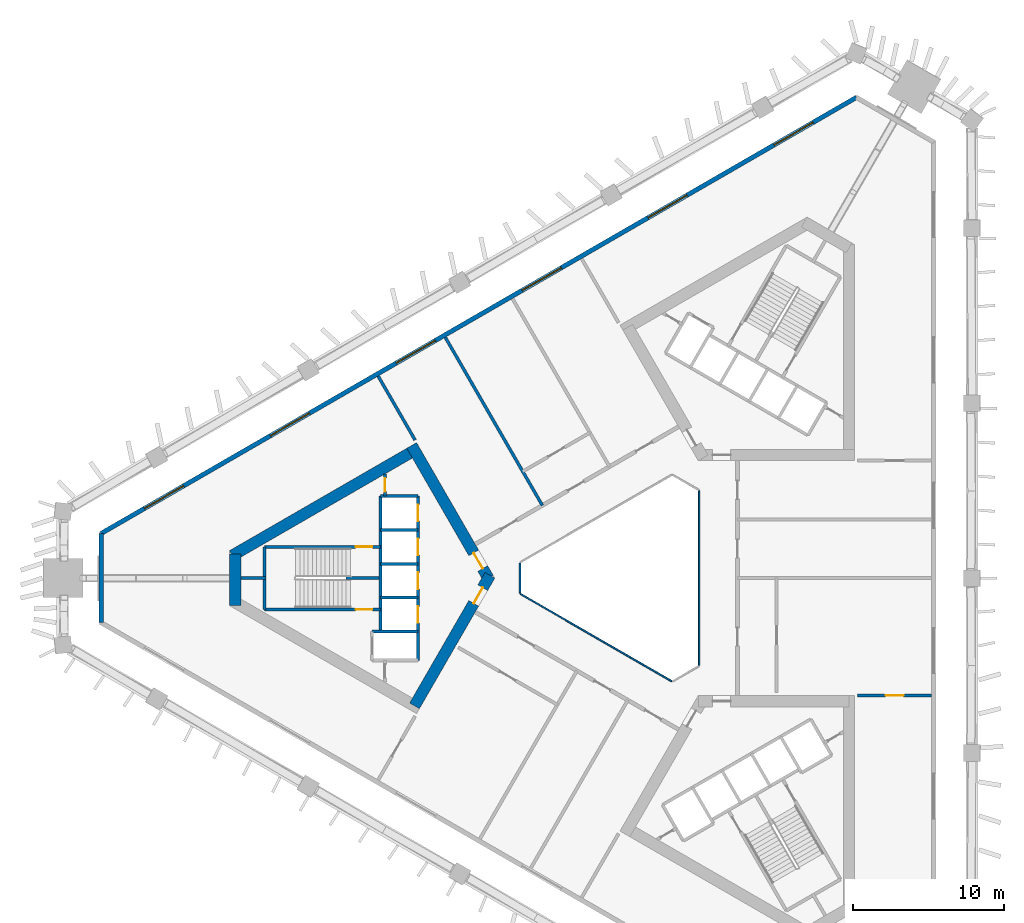
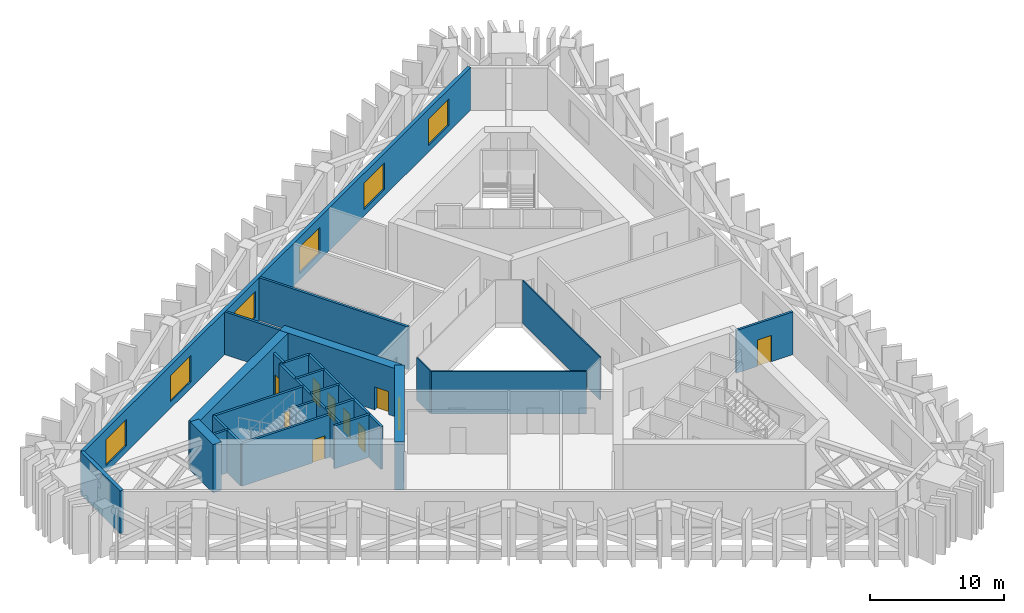
# One storey, part 5 of 9: 25 walls, 10 doors, 6 windows, 16 openings.
"""IFC4 building model written with IfcOpenShell, lengths in metres."""

from ifc_helpers import new_model, si_unit, direction, frame, frame_2d, origin, place, context, subcontext, project, spatial, rectangle, extrude, material, layer, layer_set, type_object, element, fill, save


model = new_model("IFC4")

# Units and contexts
model_context = context("Model", 3, precision=1e-05, world=origin(), true_north=direction((0.0, 1.0)))
body_context = subcontext(model_context, "Body", "Model", "MODEL_VIEW")
ifc_project = project(units=[si_unit("LENGTHUNIT", "METRE"), si_unit("AREAUNIT", "SQUARE_METRE"), si_unit("VOLUMEUNIT", "CUBIC_METRE"), si_unit("PLANEANGLEUNIT", "RADIAN"), si_unit("MASSUNIT", "GRAM", prefix="KILO")], contexts=[model_context])

# Site, building, storey
site_placement = place(None, origin())
site = spatial("IfcSite", under=ifc_project, at=site_placement, CompositionType="ELEMENT")
building_placement = place(site_placement, origin())
building = spatial("IfcBuilding", under=site, at=building_placement, Name="Jabali Bay Hotel Tower and Convention Centre", CompositionType="ELEMENT")
storey_placement = place(building_placement, frame((0.0, 0.0, 98.0)))
storey = spatial("IfcBuildingStorey", under=building, at=storey_placement, Name="L23", CompositionType="ELEMENT", Elevation=98.0)

# Walls
ifc_material_1 = material(Name="Fire-resistant glazing", Category="glass")
ifc_layer_1 = layer(ifc_material_1, 0.10009765625)
ifc_layer_set_1 = layer_set([ifc_layer_1], Name="Fire-resistant glazing")
wall_type_1 = type_object("IfcWallType", Name="Atrium glazed screen 100", PredefinedType="PARTITIONING", material=ifc_layer_set_1)
wall_1_placement = place(storey_placement, frame((79.56005859375, 74.205810546875, 0.0), z_axis=(0.0, 0.0, 1.0), x_axis=(0.0, 1.0, 0.0)))
element("IfcWall", 1, at=wall_1_placement, inside=storey, type_object=wall_type_1, Name="Atrium screen 1 L23", PredefinedType="PARTITIONING", context=body_context, shape_type="SweptSolid", body=[
    extrude(rectangle(XDim=11.58837890625, YDim=0.10009765625, at=frame_2d((5.794189453125, 0.0))), origin(), (0.0, 0.0, 1.0), 3.89990234375),
])
wall_2_placement = place(storey_placement, frame((67.672119140625, 81.0, 0.0), z_axis=(0.0, 0.0, 1.0), x_axis=(0.0, -1.0, 0.0)))
element("IfcWall", 2, at=wall_2_placement, inside=storey, type_object=wall_type_1, Name="Atrium screen 4 L23", PredefinedType="PARTITIONING", context=body_context, shape_type="SweptSolid", body=[
    extrude(rectangle(XDim=2.0, YDim=0.10009765625, at=frame_2d((1.0, 0.0))), origin(), (0.0, 0.0, 1.0), 3.89990234375),
])
wall_3_placement = place(storey_placement, frame((67.7021484375, 78.947998046875, 0.0), z_axis=(0.0, 0.0, 1.0), x_axis=(0.866026658274, -0.499997827154, 0.0)))
element("IfcWall", 3, at=wall_3_placement, inside=storey, type_object=wall_type_1, Name="Atrium screen 5 L23", PredefinedType="PARTITIONING", context=body_context, shape_type="SweptSolid", body=[
    extrude(rectangle(XDim=11.58837890625, YDim=0.10009765625, at=frame_2d((5.794189453125, 0.0))), origin(), (0.0, 0.0, 1.0), 3.89990234375),
])
ifc_material_2 = material(Name="Concrete C40", Category="concrete")
ifc_layer_2 = layer(ifc_material_2, 0.199951171875)
ifc_layer_set_2 = layer_set([ifc_layer_2], Name="Concrete C40")
wall_type_2 = type_object("IfcWallType", Name="Core partition wall 200", PredefinedType="PARTITIONING", material=ifc_layer_set_2)
wall_4_placement = place(storey_placement, frame((50.820068359375, 80.0, 0.0), z_axis=(0.0, 0.0, 1.0), x_axis=(-1.0, 0.0, 0.0)))
element("IfcWall", 4, at=wall_4_placement, inside=storey, type_object=wall_type_2, Name="Core wall 0.5 L23", PredefinedType="PARTITIONING", context=body_context, shape_type="SweptSolid", body=[
    extrude(rectangle(XDim=1.673095703125, YDim=0.199951171875, at=frame_2d((0.83642578125, 0.0))), origin(), (0.0, 0.0, 1.0), 3.89990234375),
])

# Wall, opening, door
wall_5_placement = place(storey_placement, frame((58.719970703125, 86.916748046875, 0.0), z_axis=(0.0, 0.0, 1.0), x_axis=(0.0, -1.0, 0.0)))
wall_5 = element("IfcWall", 5, at=wall_5_placement, inside=storey, type_object=wall_type_2, Name="Core wall 0.11 L23", PredefinedType="PARTITIONING", context=body_context, shape_type="SweptSolid", body=[
    extrude(rectangle(XDim=1.466796875, YDim=0.199951171875, at=frame_2d((0.7333984375, 0.0))), origin(), (0.0, 0.0, 1.0), 3.89990234375),
])
opening_1_placement = place(wall_5_placement, frame((0.283447265625, 0.0, 0.0)))
opening_1 = element("IfcOpeningElement", 6, at=opening_1_placement, cuts=wall_5, Name="Opening D531", PredefinedType="OPENING", context=body_context, shape_type="SweptSolid", body=[
    extrude(rectangle(XDim=0.89990234375, YDim=2.10009765625, at=frame_2d((0.449951171875, 1.050048828125))), frame((0.0, 0.1103515625, 0.0), z_axis=(0.0, -1.0, 0.0), x_axis=(1.0, 0.0, 0.0)), (0.0, 0.0, 1.0), 0.220947265625),
])
ifc_material_3 = material(Name="Fire-rated steel door", Category="steel")
door_type_1 = type_object("IfcDoorType", Name="Vestibule fire door 900 x 2100", OperationType="NOTDEFINED", PredefinedType="NOTDEFINED", material=ifc_material_3)
door_1_placement = place(opening_1_placement, origin())
door_1 = element("IfcDoor", 7, at=door_1_placement, inside=storey, type_object=door_type_1, Name="Vestibule fire door D531", OperationType="SINGLE_SWING_LEFT", OverallHeight=2.10009765625, OverallWidth=0.89990234375, PredefinedType="NOTDEFINED", context=body_context, shape_type="SweptSolid", body=[
    extrude(rectangle(XDim=0.89990234375, YDim=2.10009765625, at=frame_2d((0.449951171875, 1.050048828125))), frame((0.0, 0.02490234375, 0.0), z_axis=(0.0, -1.0, 0.0), x_axis=(1.0, 0.0, 0.0)), (0.0, 0.0, 1.0), 0.050048828125),
])
fill(opening_1, door_1)

# Walls
ifc_layer_3 = layer(ifc_material_2, 0.199951171875)
ifc_layer_set_3 = layer_set([ifc_layer_3], Name="Concrete C40")
wall_type_3 = type_object("IfcWallType", Name="Core stair wall 200", PredefinedType="SOLIDWALL", material=ifc_layer_set_3)
for number, where, z_axis, x_axis, name in (
    (8, (60.89990234375, 85.449951171875, 0.0), (0.0, 0.0, 1.0), (-1.0, 0.0, 0.0), "Core wall 0.0 L23"),
    (9, (60.89990234375, 83.199951171875, 0.0), (0.0, 0.0, 1.0), (-1.0, 0.0, 0.0), "Core wall 0.1 L23"),
):
    element("IfcWall", number, at=place(storey_placement, frame(where, z_axis=z_axis, x_axis=x_axis)), inside=storey, type_object=wall_type_3, Name=name, PredefinedType="SOLIDWALL", context=body_context, shape_type="SweptSolid", body=[
        extrude(rectangle(XDim=2.47998046875, YDim=0.199951171875, at=frame_2d((1.239990234375, 0.0))), origin(), (0.0, 0.0, 1.0), 3.89990234375),
    ])

# Wall, opening, door
wall_6_placement = place(storey_placement, frame((58.419921875, 82.074951171875, 0.0), z_axis=(0.0, 0.0, 1.0), x_axis=(-1.0, 0.0, 0.0)))
wall_6 = element("IfcWall", 10, at=wall_6_placement, inside=storey, type_object=wall_type_3, Name="Core wall 0.2 L23", PredefinedType="SOLIDWALL", context=body_context, shape_type="SweptSolid", body=[
    extrude(rectangle(XDim=7.699951171875, YDim=0.199951171875, at=frame_2d((3.85009765625, 0.0))), origin(), (0.0, 0.0, 1.0), 3.89990234375),
])
opening_2_placement = place(wall_6_placement, frame((0.550048828125, 0.0, 0.0)))
opening_2 = element("IfcOpeningElement", 11, at=opening_2_placement, cuts=wall_6, Name="Opening D533", PredefinedType="OPENING", context=body_context, shape_type="SweptSolid", body=[
    extrude(rectangle(XDim=1.10009765625, YDim=2.10009765625, at=frame_2d((0.550048828125, 1.050048828125))), frame((0.0, 0.1103515625, 0.0), z_axis=(0.0, -1.0, 0.0), x_axis=(1.0, 0.0, 0.0)), (0.0, 0.0, 1.0), 0.220947265625),
])
door_type_2 = type_object("IfcDoorType", Name="Stair fire door 1100 x 2100", OperationType="NOTDEFINED", PredefinedType="NOTDEFINED", material=ifc_material_3)
door_2_placement = place(opening_2_placement, origin())
door_2 = element("IfcDoor", 12, at=door_2_placement, inside=storey, type_object=door_type_2, Name="Stair fire door D533", OperationType="SINGLE_SWING_LEFT", OverallHeight=2.10009765625, OverallWidth=1.10009765625, PredefinedType="NOTDEFINED", context=body_context, shape_type="SweptSolid", body=[
    extrude(rectangle(XDim=1.10009765625, YDim=2.10009765625, at=frame_2d((0.550048828125, 1.050048828125))), frame((0.0, 0.02490234375, 0.0), z_axis=(0.0, -1.0, 0.0), x_axis=(1.0, 0.0, 0.0)), (0.0, 0.0, 1.0), 0.050048828125),
])
fill(opening_2, door_2)

# Walls
wall_7_placement = place(storey_placement, frame((60.89990234375, 80.949951171875, 0.0), z_axis=(0.0, 0.0, 1.0), x_axis=(-1.0, 0.0, 0.0)))
element("IfcWall", 13, at=wall_7_placement, inside=storey, type_object=wall_type_3, Name="Core wall 0.3 L23", PredefinedType="SOLIDWALL", context=body_context, shape_type="SweptSolid", body=[
    extrude(rectangle(XDim=2.47998046875, YDim=0.199951171875, at=frame_2d((1.239990234375, 0.0))), origin(), (0.0, 0.0, 1.0), 3.89990234375),
])
wall_8_placement = place(storey_placement, frame((58.320068359375, 80.0, 0.0), z_axis=(0.0, 0.0, 1.0), x_axis=(-1.0, 0.0, 0.0)))
element("IfcWall", 14, at=wall_8_placement, inside=storey, type_object=wall_type_3, Name="Core wall 0.4 L23", PredefinedType="SOLIDWALL", context=body_context, shape_type="SweptSolid", body=[
    extrude(rectangle(XDim=2.199951171875, YDim=0.199951171875, at=frame_2d((1.10009765625, 0.0))), origin(), (0.0, 0.0, 1.0), 3.89990234375),
])
wall_9_placement = place(storey_placement, frame((60.89990234375, 78.699951171875, 0.0), z_axis=(0.0, 0.0, 1.0), x_axis=(-1.0, 0.0, 0.0)))
element("IfcWall", 15, at=wall_9_placement, inside=storey, type_object=wall_type_3, Name="Core wall 0.6 L23", PredefinedType="SOLIDWALL", context=body_context, shape_type="SweptSolid", body=[
    extrude(rectangle(XDim=2.47998046875, YDim=0.199951171875, at=frame_2d((1.239990234375, 0.0))), origin(), (0.0, 0.0, 1.0), 3.89990234375),
])

# Wall, opening, door
wall_10_placement = place(storey_placement, frame((58.419921875, 77.925048828125, 0.0), z_axis=(0.0, 0.0, 1.0), x_axis=(-1.0, 0.0, 0.0)))
wall_10 = element("IfcWall", 16, at=wall_10_placement, inside=storey, type_object=wall_type_3, Name="Core wall 0.7 L23", PredefinedType="SOLIDWALL", context=body_context, shape_type="SweptSolid", body=[
    extrude(rectangle(XDim=7.699951171875, YDim=0.199951171875, at=frame_2d((3.85009765625, 0.0))), origin(), (0.0, 0.0, 1.0), 3.89990234375),
])
opening_3_placement = place(wall_10_placement, frame((0.550048828125, 0.0, 0.0)))
opening_3 = element("IfcOpeningElement", 17, at=opening_3_placement, cuts=wall_10, Name="Opening D532", PredefinedType="OPENING", context=body_context, shape_type="SweptSolid", body=[
    extrude(rectangle(XDim=1.10009765625, YDim=2.10009765625, at=frame_2d((0.550048828125, 1.050048828125))), frame((0.0, 0.1103515625, 0.0), z_axis=(0.0, -1.0, 0.0), x_axis=(1.0, 0.0, 0.0)), (0.0, 0.0, 1.0), 0.220947265625),
])
door_3_placement = place(opening_3_placement, origin())
door_3 = element("IfcDoor", 18, at=door_3_placement, inside=storey, type_object=door_type_2, Name="Stair fire door D532", OperationType="SINGLE_SWING_RIGHT", OverallHeight=2.10009765625, OverallWidth=1.10009765625, PredefinedType="NOTDEFINED", context=body_context, shape_type="SweptSolid", body=[
    extrude(rectangle(XDim=1.10009765625, YDim=2.10009765625, at=frame_2d((0.550048828125, 1.050048828125))), frame((0.0, 0.02490234375, 0.0), z_axis=(0.0, -1.0, 0.0), x_axis=(1.0, 0.0, 0.0)), (0.0, 0.0, 1.0), 0.050048828125),
])
fill(opening_3, door_3)

# Wall
wall_11_placement = place(storey_placement, frame((60.89990234375, 76.449951171875, 0.0), z_axis=(0.0, 0.0, 1.0), x_axis=(-1.0, 0.0, 0.0)))
element("IfcWall", 19, at=wall_11_placement, inside=storey, type_object=wall_type_3, Name="Core wall 0.8 L23", PredefinedType="SOLIDWALL", context=body_context, shape_type="SweptSolid", body=[
    extrude(rectangle(XDim=3.0498046875, YDim=0.199951171875, at=frame_2d((1.52490234375, 0.0))), origin(), (0.0, 0.0, 1.0), 3.89990234375),
])

# Wall, openings, doors
wall_12_placement = place(storey_placement, frame((60.89990234375, 85.449951171875, 0.0), z_axis=(0.0, 0.0, 1.0), x_axis=(0.0, -1.0, 0.0)))
wall_12 = element("IfcWall", 20, at=wall_12_placement, inside=storey, type_object=wall_type_3, Name="Core wall 0.10 L23", PredefinedType="SOLIDWALL", context=body_context, shape_type="SweptSolid", body=[
    extrude(rectangle(XDim=10.89990234375, YDim=0.199951171875, at=frame_2d((5.449951171875, 0.0))), origin(), (0.0, 0.0, 1.0), 3.89990234375),
])
opening_4_placement = place(wall_12_placement, frame((0.574951171875, 0.0, 0.0)))
opening_4 = element("IfcOpeningElement", 21, at=opening_4_placement, cuts=wall_12, Name="Opening LD1-L23", PredefinedType="OPENING", context=body_context, shape_type="SweptSolid", body=[
    extrude(rectangle(XDim=1.10009765625, YDim=2.10009765625, at=frame_2d((0.550048828125, 1.050048828125))), frame((0.0, 0.1103515625, 0.0), z_axis=(0.0, -1.0, 0.0), x_axis=(1.0, 0.0, 0.0)), (0.0, 0.0, 1.0), 0.220947265625),
])
opening_5_placement = place(wall_12_placement, frame((2.824951171875, 0.0, 0.0)))
opening_5 = element("IfcOpeningElement", 22, at=opening_5_placement, cuts=wall_12, Name="Opening LD2-L23", PredefinedType="OPENING", context=body_context, shape_type="SweptSolid", body=[
    extrude(rectangle(XDim=1.10009765625, YDim=2.10009765625, at=frame_2d((0.550048828125, 1.050048828125))), frame((0.0, 0.1103515625, 0.0), z_axis=(0.0, -1.0, 0.0), x_axis=(1.0, 0.0, 0.0)), (0.0, 0.0, 1.0), 0.220947265625),
])
opening_6_placement = place(wall_12_placement, frame((5.074951171875, 0.0, 0.0)))
opening_6 = element("IfcOpeningElement", 23, at=opening_6_placement, cuts=wall_12, Name="Opening LD3-L23", PredefinedType="OPENING", context=body_context, shape_type="SweptSolid", body=[
    extrude(rectangle(XDim=1.10009765625, YDim=2.10009765625, at=frame_2d((0.550048828125, 1.050048828125))), frame((0.0, 0.1103515625, 0.0), z_axis=(0.0, -1.0, 0.0), x_axis=(1.0, 0.0, 0.0)), (0.0, 0.0, 1.0), 0.220947265625),
])
opening_7_placement = place(wall_12_placement, frame((7.324951171875, 0.0, 0.0)))
opening_7 = element("IfcOpeningElement", 24, at=opening_7_placement, cuts=wall_12, Name="Opening LD4-L23", PredefinedType="OPENING", context=body_context, shape_type="SweptSolid", body=[
    extrude(rectangle(XDim=1.10009765625, YDim=2.10009765625, at=frame_2d((0.550048828125, 1.050048828125))), frame((0.0, 0.1103515625, 0.0), z_axis=(0.0, -1.0, 0.0), x_axis=(1.0, 0.0, 0.0)), (0.0, 0.0, 1.0), 0.220947265625),
])
ifc_material_4 = material(Name="Stainless steel landing door", Category="steel")
door_type_3 = type_object("IfcDoorType", Name="Landing door 1100 x 2100", OperationType="NOTDEFINED", PredefinedType="NOTDEFINED", material=ifc_material_4)
door_4_placement = place(opening_4_placement, origin())
door_4 = element("IfcDoor", 25, at=door_4_placement, inside=storey, type_object=door_type_3, Name="Landing doors LD1-L23", OperationType="SLIDING_TO_RIGHT", OverallHeight=2.10009765625, OverallWidth=1.10009765625, PredefinedType="NOTDEFINED", context=body_context, shape_type="SweptSolid", body=[
    extrude(rectangle(XDim=1.10009765625, YDim=2.10009765625, at=frame_2d((0.550048828125, 1.050048828125))), frame((0.0, 0.02490234375, 0.0), z_axis=(0.0, -1.0, 0.0), x_axis=(1.0, 0.0, 0.0)), (0.0, 0.0, 1.0), 0.050048828125),
])
fill(opening_4, door_4)
door_5_placement = place(opening_5_placement, origin())
door_5 = element("IfcDoor", 26, at=door_5_placement, inside=storey, type_object=door_type_3, Name="Landing doors LD2-L23", OperationType="SLIDING_TO_LEFT", OverallHeight=2.10009765625, OverallWidth=1.10009765625, PredefinedType="NOTDEFINED", context=body_context, shape_type="SweptSolid", body=[
    extrude(rectangle(XDim=1.10009765625, YDim=2.10009765625, at=frame_2d((0.550048828125, 1.050048828125))), frame((0.0, 0.02490234375, 0.0), z_axis=(0.0, -1.0, 0.0), x_axis=(1.0, 0.0, 0.0)), (0.0, 0.0, 1.0), 0.050048828125),
])
fill(opening_5, door_5)
door_6_placement = place(opening_6_placement, origin())
door_6 = element("IfcDoor", 27, at=door_6_placement, inside=storey, type_object=door_type_3, Name="Landing doors LD3-L23", OperationType="SLIDING_TO_RIGHT", OverallHeight=2.10009765625, OverallWidth=1.10009765625, PredefinedType="NOTDEFINED", context=body_context, shape_type="SweptSolid", body=[
    extrude(rectangle(XDim=1.10009765625, YDim=2.10009765625, at=frame_2d((0.550048828125, 1.050048828125))), frame((0.0, 0.02490234375, 0.0), z_axis=(0.0, -1.0, 0.0), x_axis=(1.0, 0.0, 0.0)), (0.0, 0.0, 1.0), 0.050048828125),
])
fill(opening_6, door_6)
door_7_placement = place(opening_7_placement, origin())
door_7 = element("IfcDoor", 28, at=door_7_placement, inside=storey, type_object=door_type_3, Name="Landing doors LD4-L23", OperationType="SLIDING_TO_LEFT", OverallHeight=2.10009765625, OverallWidth=1.10009765625, PredefinedType="NOTDEFINED", context=body_context, shape_type="SweptSolid", body=[
    extrude(rectangle(XDim=1.10009765625, YDim=2.10009765625, at=frame_2d((0.550048828125, 1.050048828125))), frame((0.0, 0.02490234375, 0.0), z_axis=(0.0, -1.0, 0.0), x_axis=(1.0, 0.0, 0.0)), (0.0, 0.0, 1.0), 0.050048828125),
])
fill(opening_7, door_7)

# Walls
wall_13_placement = place(storey_placement, frame((58.419921875, 85.449951171875, 0.0), z_axis=(0.0, 0.0, 1.0), x_axis=(0.0, -1.0, 0.0)))
element("IfcWall", 29, at=wall_13_placement, inside=storey, type_object=wall_type_3, Name="Core wall 0.13 L23", PredefinedType="SOLIDWALL", context=body_context, shape_type="SweptSolid", body=[
    extrude(rectangle(XDim=9.0, YDim=0.199951171875, at=frame_2d((4.5, 0.0))), origin(), (0.0, 0.0, 1.0), 3.89990234375),
])
wall_14_placement = place(storey_placement, frame((50.719970703125, 82.074951171875, 0.0), z_axis=(0.0, 0.0, 1.0), x_axis=(0.0, -1.0, 0.0)))
element("IfcWall", 30, at=wall_14_placement, inside=storey, type_object=wall_type_3, Name="Core wall 0.15 L23", PredefinedType="SOLIDWALL", context=body_context, shape_type="SweptSolid", body=[
    extrude(rectangle(XDim=4.14990234375, YDim=0.199951171875, at=frame_2d((2.074951171875, 0.0))), origin(), (0.0, 0.0, 1.0), 3.89990234375),
])

# Wall, opening, door
ifc_material_5 = material(Name="Concrete C60", Category="concrete")
ifc_layer_4 = layer(ifc_material_5, 0.75)
ifc_layer_set_4 = layer_set([ifc_layer_4], Name="Concrete C60")
wall_type_4 = type_object("IfcWallType", Name="Core wall 750", PredefinedType="SHEAR", material=ifc_layer_set_4)
wall_15_placement = place(storey_placement, frame((65.56689453125, 80.0, 0.0), z_axis=(0.0, 0.0, 1.0), x_axis=(-0.499988615364, 0.866031976607, 0.0)))
wall_15 = element("IfcWall", 31, at=wall_15_placement, inside=storey, type_object=wall_type_4, Name="Core wall 1.1 L23", PredefinedType="SHEAR", context=body_context, shape_type="SweptSolid", body=[
    extrude(rectangle(XDim=10.163330078125, YDim=0.75, at=frame_2d((5.08154296875, 0.0))), origin(), (0.0, 0.0, 1.0), 4.39990234375),
])
opening_8_placement = place(wall_15_placement, frame((0.7333984375, 0.0, 0.0)))
opening_8 = element("IfcOpeningElement", 32, at=opening_8_placement, cuts=wall_15, Name="Opening D528", PredefinedType="OPENING", context=body_context, shape_type="SweptSolid", body=[
    extrude(rectangle(XDim=1.199951171875, YDim=2.10009765625, at=frame_2d((0.60009765625, 1.050048828125))), frame((0.0, 0.385498046875, 0.0), z_axis=(0.0, -1.0, 0.0), x_axis=(1.0, 0.0, 0.0)), (0.0, 0.0, 1.0), 0.77099609375),
])
door_type_4 = type_object("IfcDoorType", Name="Corridor end fire door 1200 x 2100", OperationType="NOTDEFINED", PredefinedType="NOTDEFINED", material=ifc_material_3)
door_8_placement = place(opening_8_placement, origin())
door_8 = element("IfcDoor", 33, at=door_8_placement, inside=storey, type_object=door_type_4, Name="Corridor end fire door D528", OperationType="SINGLE_SWING_RIGHT", OverallHeight=2.10009765625, OverallWidth=1.199951171875, PredefinedType="NOTDEFINED", context=body_context, shape_type="SweptSolid", body=[
    extrude(rectangle(XDim=1.199951171875, YDim=2.10009765625, at=frame_2d((0.60009765625, 1.050048828125))), frame((0.0, 0.02490234375, 0.0), z_axis=(0.0, -1.0, 0.0), x_axis=(1.0, 0.0, 0.0)), (0.0, 0.0, 1.0), 0.050048828125),
])
fill(opening_8, door_8)

# Walls
wall_16_placement = place(storey_placement, frame((60.6728515625, 88.47705078125, 0.0), z_axis=(0.0, 0.0, 1.0), x_axis=(-0.8660248072, -0.500001033313, 0.0)))
element("IfcWall", 34, at=wall_16_placement, inside=storey, type_object=wall_type_4, Name="Core wall 1.2 L23", PredefinedType="SHEAR", context=body_context, shape_type="SweptSolid", body=[
    extrude(rectangle(XDim=13.95849609375, YDim=0.75, at=frame_2d((6.979248046875, 0.0))), origin(), (0.0, 0.0, 1.0), 4.39990234375),
])
wall_17_placement = place(storey_placement, frame((48.77197265625, 81.606201171875, 0.0), z_axis=(0.0, 0.0, 1.0), x_axis=(0.0, -1.0, 0.0)))
element("IfcWall", 35, at=wall_17_placement, inside=storey, type_object=wall_type_4, Name="Core wall 1.3 L23", PredefinedType="SHEAR", context=body_context, shape_type="SweptSolid", body=[
    extrude(rectangle(XDim=3.428955078125, YDim=0.75, at=frame_2d((1.71435546875, 0.0))), origin(), (0.0, 0.0, 1.0), 4.39990234375),
])

# Wall, opening, door
wall_18_placement = place(storey_placement, frame((60.6728515625, 71.52294921875, 0.0), z_axis=(0.0, 0.0, 1.0), x_axis=(0.499997052475, 0.866027105532, 0.0)))
wall_18 = element("IfcWall", 36, at=wall_18_placement, inside=storey, type_object=wall_type_4, Name="Core wall 1.5 L23", PredefinedType="SHEAR", context=body_context, shape_type="SweptSolid", body=[
    extrude(rectangle(XDim=10.0048828125, YDim=0.75, at=frame_2d((5.00244140625, 0.0))), origin(), (0.0, 0.0, 1.0), 4.39990234375),
])
opening_9_placement = place(wall_18_placement, frame((7.85498046875, 0.0, 0.0)))
opening_9 = element("IfcOpeningElement", 37, at=opening_9_placement, cuts=wall_18, Name="Opening D529", PredefinedType="OPENING", context=body_context, shape_type="SweptSolid", body=[
    extrude(rectangle(XDim=1.199951171875, YDim=2.10009765625, at=frame_2d((0.60009765625, 1.050048828125))), frame((0.0, 0.385498046875, 0.0), z_axis=(0.0, -1.0, 0.0), x_axis=(1.0, 0.0, 0.0)), (0.0, 0.0, 1.0), 0.77099609375),
])
door_9_placement = place(opening_9_placement, origin())
door_9 = element("IfcDoor", 38, at=door_9_placement, inside=storey, type_object=door_type_4, Name="Corridor end fire door D529", OperationType="SINGLE_SWING_LEFT", OverallHeight=2.10009765625, OverallWidth=1.199951171875, PredefinedType="NOTDEFINED", context=body_context, shape_type="SweptSolid", body=[
    extrude(rectangle(XDim=1.199951171875, YDim=2.10009765625, at=frame_2d((0.60009765625, 1.050048828125))), frame((0.0, 0.02490234375, 0.0), z_axis=(0.0, -1.0, 0.0), x_axis=(1.0, 0.0, 0.0)), (0.0, 0.0, 1.0), 0.050048828125),
])
fill(opening_9, door_9)

# Wall
ifc_layer_5 = layer(ifc_material_2, 0.300048828125)
ifc_layer_set_5 = layer_set([ifc_layer_5], Name="Concrete C40")
wall_type_5 = type_object("IfcWallType", Name="External wall 300", PredefinedType="SOLIDWALL", material=ifc_layer_set_5)
wall_19_placement = place(storey_placement, frame((39.87451171875, 77.038818359375, 0.0), z_axis=(0.0, 0.0, 1.0), x_axis=(0.0, 1.0, 0.0)))
element("IfcWall", 39, at=wall_19_placement, inside=storey, type_object=wall_type_5, Name="External wall west chamfer L23", PredefinedType="SOLIDWALL", context=body_context, shape_type="SweptSolid", body=[
    extrude(rectangle(XDim=5.92236328125, YDim=0.300048828125, at=frame_2d((2.961181640625, 0.0))), origin(), (0.0, 0.0, 1.0), 3.89990234375),
])

# Wall, openings, windows
wall_20_placement = place(storey_placement, frame((39.87451171875, 82.961181640625, 0.0), z_axis=(0.0, 0.0, 1.0), x_axis=(0.866025498246, 0.499999836387, 0.0)))
wall_20 = element("IfcWall", 40, at=wall_20_placement, inside=storey, type_object=wall_type_5, Name="External wall north-west face L23", PredefinedType="SOLIDWALL", context=body_context, shape_type="SweptSolid", body=[
    extrude(rectangle(XDim=57.8779296875, YDim=0.300048828125, at=frame_2d((28.93896484375, 0.0))), origin(), (0.0, 0.0, 1.0), 3.89990234375),
])
opening_10_placement = place(wall_20_placement, frame((3.3232421875, 0.0, 0.60009765625)))
opening_10 = element("IfcOpeningElement", 41, at=opening_10_placement, cuts=wall_20, Name="Opening W2", PredefinedType="OPENING", context=body_context, shape_type="SweptSolid", body=[
    extrude(rectangle(XDim=3.0, YDim=2.39990234375, at=frame_2d((1.5, 1.199951171875))), frame((0.0, 0.16064453125, 0.0), z_axis=(0.0, -1.0, 0.0), x_axis=(1.0, 0.0, 0.0)), (0.0, 0.0, 1.0), 0.321044921875),
])
opening_11_placement = place(wall_20_placement, frame((12.969482421875, 0.0, 0.60009765625)))
opening_11 = element("IfcOpeningElement", 42, at=opening_11_placement, cuts=wall_20, Name="Opening W2", PredefinedType="OPENING", context=body_context, shape_type="SweptSolid", body=[
    extrude(rectangle(XDim=3.0, YDim=2.39990234375, at=frame_2d((1.5, 1.199951171875))), frame((0.0, 0.16064453125, 0.0), z_axis=(0.0, -1.0, 0.0), x_axis=(1.0, 0.0, 0.0)), (0.0, 0.0, 1.0), 0.321044921875),
])
opening_12_placement = place(wall_20_placement, frame((22.61572265625, 0.0, 0.60009765625)))
opening_12 = element("IfcOpeningElement", 43, at=opening_12_placement, cuts=wall_20, Name="Opening W2", PredefinedType="OPENING", context=body_context, shape_type="SweptSolid", body=[
    extrude(rectangle(XDim=3.0, YDim=2.39990234375, at=frame_2d((1.5, 1.199951171875))), frame((0.0, 0.16064453125, 0.0), z_axis=(0.0, -1.0, 0.0), x_axis=(1.0, 0.0, 0.0)), (0.0, 0.0, 1.0), 0.321044921875),
])
opening_13_placement = place(wall_20_placement, frame((32.26220703125, 0.0, 0.60009765625)))
opening_13 = element("IfcOpeningElement", 44, at=opening_13_placement, cuts=wall_20, Name="Opening W2", PredefinedType="OPENING", context=body_context, shape_type="SweptSolid", body=[
    extrude(rectangle(XDim=3.0, YDim=2.39990234375, at=frame_2d((1.5, 1.199951171875))), frame((0.0, 0.16064453125, 0.0), z_axis=(0.0, -1.0, 0.0), x_axis=(1.0, 0.0, 0.0)), (0.0, 0.0, 1.0), 0.321044921875),
])
opening_14_placement = place(wall_20_placement, frame((41.908447265625, 0.0, 0.60009765625)))
opening_14 = element("IfcOpeningElement", 45, at=opening_14_placement, cuts=wall_20, Name="Opening W2", PredefinedType="OPENING", context=body_context, shape_type="SweptSolid", body=[
    extrude(rectangle(XDim=3.0, YDim=2.39990234375, at=frame_2d((1.5, 1.199951171875))), frame((0.0, 0.16064453125, 0.0), z_axis=(0.0, -1.0, 0.0), x_axis=(1.0, 0.0, 0.0)), (0.0, 0.0, 1.0), 0.321044921875),
])
opening_15_placement = place(wall_20_placement, frame((51.5546875, 0.0, 0.60009765625)))
opening_15 = element("IfcOpeningElement", 46, at=opening_15_placement, cuts=wall_20, Name="Opening W2", PredefinedType="OPENING", context=body_context, shape_type="SweptSolid", body=[
    extrude(rectangle(XDim=3.0, YDim=2.39990234375, at=frame_2d((1.5, 1.199951171875))), frame((0.0, 0.16064453125, 0.0), z_axis=(0.0, -1.0, 0.0), x_axis=(1.0, 0.0, 0.0)), (0.0, 0.0, 1.0), 0.321044921875),
])
ifc_material_6 = material(Name="Aluminium", Category="aluminium")
window_type = type_object("IfcWindowType", Name="Louvred ventilation panel 3000 x 2400", PartitioningType="SINGLE_PANEL", PredefinedType="WINDOW", material=ifc_material_6)
window_1_placement = place(opening_10_placement, origin())
window_1 = element("IfcWindow", 47, at=window_1_placement, inside=storey, type_object=window_type, Name="Louvred panel 1", OverallHeight=2.39990234375, OverallWidth=3.0, PartitioningType="SINGLE_PANEL", PredefinedType="WINDOW", context=body_context, shape_type="SweptSolid", body=[
    extrude(rectangle(XDim=3.0, YDim=2.39990234375, at=frame_2d((1.5, 1.199951171875))), frame((0.0, 0.030029296875, 0.0), z_axis=(0.0, -1.0, 0.0), x_axis=(1.0, 0.0, 0.0)), (0.0, 0.0, 1.0), 0.06005859375),
])
fill(opening_10, window_1)
window_2_placement = place(opening_11_placement, origin())
window_2 = element("IfcWindow", 48, at=window_2_placement, inside=storey, type_object=window_type, Name="Louvred panel 2", OverallHeight=2.39990234375, OverallWidth=3.0, PartitioningType="SINGLE_PANEL", PredefinedType="WINDOW", context=body_context, shape_type="SweptSolid", body=[
    extrude(rectangle(XDim=3.0, YDim=2.39990234375, at=frame_2d((1.5, 1.199951171875))), frame((0.0, 0.030029296875, 0.0), z_axis=(0.0, -1.0, 0.0), x_axis=(1.0, 0.0, 0.0)), (0.0, 0.0, 1.0), 0.06005859375),
])
fill(opening_11, window_2)
window_3_placement = place(opening_12_placement, origin())
window_3 = element("IfcWindow", 49, at=window_3_placement, inside=storey, type_object=window_type, Name="Louvred panel 3", OverallHeight=2.39990234375, OverallWidth=3.0, PartitioningType="SINGLE_PANEL", PredefinedType="WINDOW", context=body_context, shape_type="SweptSolid", body=[
    extrude(rectangle(XDim=3.0, YDim=2.39990234375, at=frame_2d((1.5, 1.199951171875))), frame((0.0, 0.030029296875, 0.0), z_axis=(0.0, -1.0, 0.0), x_axis=(1.0, 0.0, 0.0)), (0.0, 0.0, 1.0), 0.06005859375),
])
fill(opening_12, window_3)
window_4_placement = place(opening_13_placement, origin())
window_4 = element("IfcWindow", 50, at=window_4_placement, inside=storey, type_object=window_type, Name="Louvred panel 4", OverallHeight=2.39990234375, OverallWidth=3.0, PartitioningType="SINGLE_PANEL", PredefinedType="WINDOW", context=body_context, shape_type="SweptSolid", body=[
    extrude(rectangle(XDim=3.0, YDim=2.39990234375, at=frame_2d((1.5, 1.199951171875))), frame((0.0, 0.030029296875, 0.0), z_axis=(0.0, -1.0, 0.0), x_axis=(1.0, 0.0, 0.0)), (0.0, 0.0, 1.0), 0.06005859375),
])
fill(opening_13, window_4)
window_5_placement = place(opening_14_placement, origin())
window_5 = element("IfcWindow", 51, at=window_5_placement, inside=storey, type_object=window_type, Name="Louvred panel 5", OverallHeight=2.39990234375, OverallWidth=3.0, PartitioningType="SINGLE_PANEL", PredefinedType="WINDOW", context=body_context, shape_type="SweptSolid", body=[
    extrude(rectangle(XDim=3.0, YDim=2.39990234375, at=frame_2d((1.5, 1.199951171875))), frame((0.0, 0.030029296875, 0.0), z_axis=(0.0, -1.0, 0.0), x_axis=(1.0, 0.0, 0.0)), (0.0, 0.0, 1.0), 0.06005859375),
])
fill(opening_14, window_5)
window_6_placement = place(opening_15_placement, origin())
window_6 = element("IfcWindow", 52, at=window_6_placement, inside=storey, type_object=window_type, Name="Louvred panel 6", OverallHeight=2.39990234375, OverallWidth=3.0, PartitioningType="SINGLE_PANEL", PredefinedType="WINDOW", context=body_context, shape_type="SweptSolid", body=[
    extrude(rectangle(XDim=3.0, YDim=2.39990234375, at=frame_2d((1.5, 1.199951171875))), frame((0.0, 0.030029296875, 0.0), z_axis=(0.0, -1.0, 0.0), x_axis=(1.0, 0.0, 0.0)), (0.0, 0.0, 1.0), 0.06005859375),
])
fill(opening_15, window_6)

# Wall
ifc_material_7 = material(Name="Plasterboard on steel stud", Category="steel")
ifc_layer_6 = layer(ifc_material_7, 0.199951171875)
ifc_layer_set_6 = layer_set([ifc_layer_6], Name="Plasterboard on steel stud")
wall_type_6 = type_object("IfcWallType", Name="Partition 200 plant", PredefinedType="PARTITIONING", material=ifc_layer_set_6)
wall_21_placement = place(storey_placement, frame((60.71044921875, 89.16162109375, 0.0), z_axis=(0.0, 0.0, 1.0), x_axis=(-0.499971209087, 0.866042025588, 0.0)))
element("IfcWall", 53, at=wall_21_placement, inside=storey, type_object=wall_type_6, Name="Partition P04 L23 010", PredefinedType="PARTITIONING", context=body_context, shape_type="SweptSolid", body=[
    extrude(rectangle(XDim=4.899169921875, YDim=0.199951171875, at=frame_2d((2.44970703125, 0.0))), origin(), (0.0, 0.0, 1.0), 3.89990234375),
])

# Wall, opening, door
ifc_layer_7 = layer(ifc_material_7, 0.199951171875)
ifc_layer_set_7 = layer_set([ifc_layer_7], Name="Plasterboard on steel stud")
wall_type_7 = type_object("IfcWallType", Name="Partition 200 refuge", PredefinedType="PARTITIONING", material=ifc_layer_set_7)
wall_22_placement = place(storey_placement, frame((94.978271484375, 72.205810546875, 0.0), z_axis=(0.0, 0.0, 1.0), x_axis=(-1.0, 0.0, 0.0)))
wall_22 = element("IfcWall", 54, at=wall_22_placement, inside=storey, type_object=wall_type_7, Name="Partition P05 L23 003", PredefinedType="PARTITIONING", context=body_context, shape_type="SweptSolid", body=[
    extrude(rectangle(XDim=4.899169921875, YDim=0.199951171875, at=frame_2d((2.44970703125, 0.0))), origin(), (0.0, 0.0, 1.0), 3.89990234375),
])
opening_16_placement = place(wall_22_placement, frame((1.85009765625, 0.0, 0.0)))
opening_16 = element("IfcOpeningElement", 55, at=opening_16_placement, cuts=wall_22, Name="Opening 2315", PredefinedType="OPENING", context=body_context, shape_type="SweptSolid", body=[
    extrude(rectangle(XDim=1.199951171875, YDim=2.39990234375, at=frame_2d((0.60009765625, 1.199951171875))), frame((0.0, 0.1103515625, 0.0), z_axis=(0.0, -1.0, 0.0), x_axis=(1.0, 0.0, 0.0)), (0.0, 0.0, 1.0), 0.220947265625),
])
ifc_material_8 = material(Name="Timber", Category="wood")
door_type_5 = type_object("IfcDoorType", Name="Public room door 1200 x 2400", OperationType="NOTDEFINED", PredefinedType="NOTDEFINED", material=ifc_material_8)
door_10_placement = place(opening_16_placement, origin())
door_10 = element("IfcDoor", 56, at=door_10_placement, inside=storey, type_object=door_type_5, Name="Door 2315", OperationType="SINGLE_SWING_LEFT", OverallHeight=2.39990234375, OverallWidth=1.199951171875, PredefinedType="NOTDEFINED", context=body_context, shape_type="SweptSolid", body=[
    extrude(rectangle(XDim=1.199951171875, YDim=2.39990234375, at=frame_2d((0.60009765625, 1.199951171875))), frame((0.0, 0.02490234375, 0.0), z_axis=(0.0, -1.0, 0.0), x_axis=(1.0, 0.0, 0.0)), (0.0, 0.0, 1.0), 0.050048828125),
])
fill(opening_16, door_10)

# Wall
wall_23_placement = place(storey_placement, frame((62.7158203125, 95.9765625, 0.0), z_axis=(0.0, 0.0, 1.0), x_axis=(0.500006895855, -0.866021422424, 0.0)))
element("IfcWall", 57, at=wall_23_placement, inside=storey, type_object=wall_type_7, Name="Partition P05 L23 009", PredefinedType="PARTITIONING", context=body_context, shape_type="SweptSolid", body=[
    extrude(rectangle(XDim=12.878173828125, YDim=0.199951171875, at=frame_2d((6.43896484375, 0.0))), origin(), (0.0, 0.0, 1.0), 3.89990234375),
])

save(model, "model.ifc")
